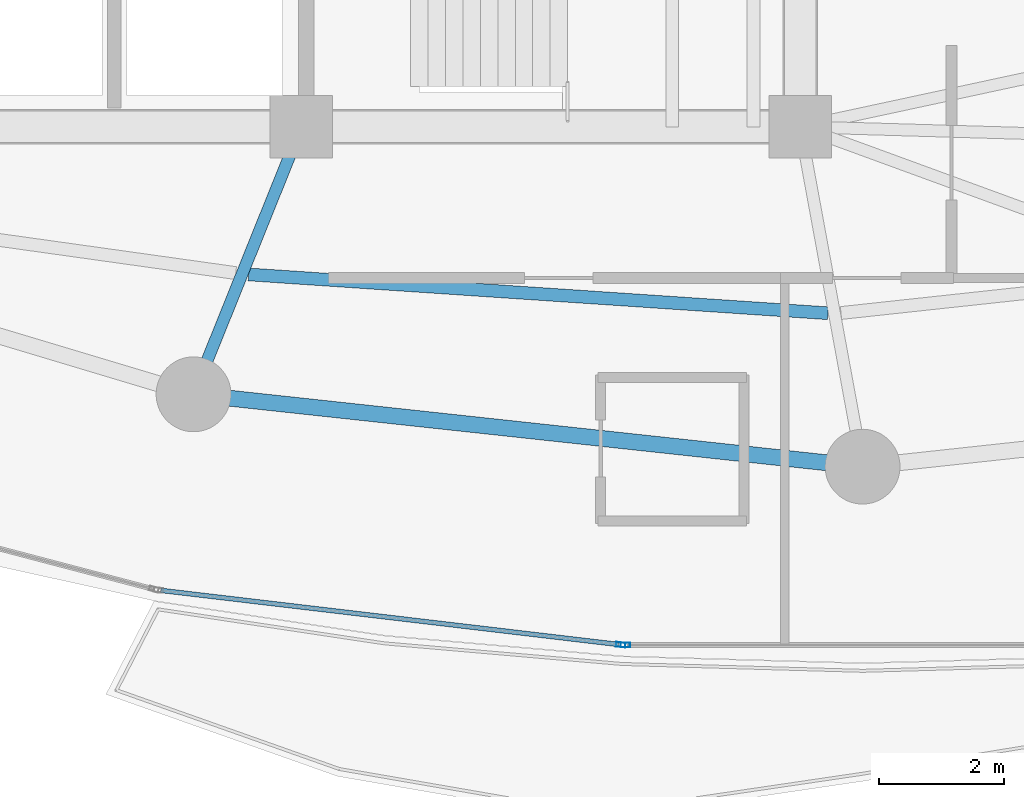
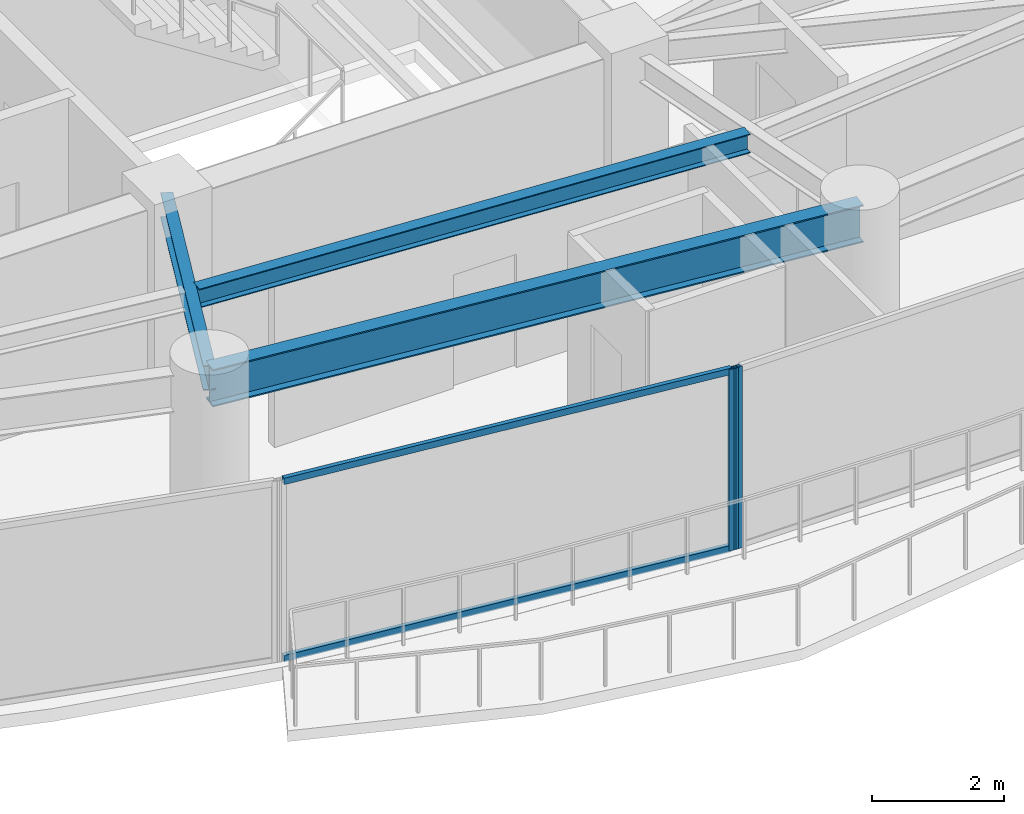
# One storey, part 6 of 34: 4 members, 3 beams, 2 elements without a shape of their own.
"""IFC4 building model written with IfcOpenShell, lengths in metres."""

from ifc_helpers import new_model, si_unit, direction, frame, origin, origin_2d, place, context, subcontext, project, spatial, hollow_rectangle, i_section, extrude, material, layer, layer_set, material_profile, profile_set, type_object, element, aggregate, save


model = new_model("IFC4")

# Units and contexts
model_context = context("Model", 3, precision=1e-05, world=origin(), true_north=direction((0.0, 1.0)))
body_context = subcontext(model_context, "Body", "Model", "MODEL_VIEW")
ifc_project = project(units=[si_unit("LENGTHUNIT", "METRE"), si_unit("AREAUNIT", "SQUARE_METRE"), si_unit("VOLUMEUNIT", "CUBIC_METRE"), si_unit("PLANEANGLEUNIT", "RADIAN"), si_unit("MASSUNIT", "GRAM", prefix="KILO")], contexts=[model_context])

# Site, building, storey
site_placement = place(None, origin())
site = spatial("IfcSite", under=ifc_project, at=site_placement, CompositionType="ELEMENT")
building_placement = place(site_placement, origin())
building = spatial("IfcBuilding", under=site, at=building_placement, Name="Kazevale Care Tower and Concert Hall", CompositionType="ELEMENT")
storey_placement = place(building_placement, frame((0.0, 0.0, 171.0)))
storey = spatial("IfcBuildingStorey", under=building, at=storey_placement, Name="L45", CompositionType="ELEMENT", Elevation=171.0)

# Curtain wall, member
ifc_material_1 = material(Name="Aluminium 6063-T6 and Low-E Glass", Category="aluminium")
ifc_layer = layer(ifc_material_1, 0.179931640625)
ifc_layer_set = layer_set([ifc_layer], Name="Aluminium 6063-T6 and Low-E Glass")
curtain_wall_type = type_object("IfcCurtainWallType", Name="Sheltered Concave Balcony Curtain Wall CW-5", PredefinedType="NOTDEFINED", material=ifc_layer_set)
curtain_wall_1_placement = place(storey_placement, origin())
curtain_wall_1 = element("IfcCurtainWall", 1, at=curtain_wall_1_placement, inside=storey, type_object=curtain_wall_type, Name="cw:L45:f06", PredefinedType="NOTDEFINED")
ifc_material_2 = material(Name="Aluminium 6063-T6", Category="aluminium")
ifc_material_profile_1 = material_profile(ifc_material_2, hollow_rectangle(XDim=0.074951171875, YDim=0.14990234375, WallThickness=0.00390625, at=origin_2d()), Name="ALU75x150x4")
ifc_profile_set_1 = profile_set([ifc_material_profile_1], Name="Aluminium 6063-T6")
member_type_1 = type_object("IfcMemberType", Name="CW-5 Mullion ALU75x150x4", PredefinedType="MULLION", material=ifc_profile_set_1)
member_1_placement = place(storey_placement, frame((41.196533203125, 15.2890625, 0.0), z_axis=(0.0, 0.0, 1.0), x_axis=(0.0, -1.0, 0.0)))
member_1 = element("IfcMember", 2, at=member_1_placement, type_object=member_type_1, Name="CW-5 mullion 2", PredefinedType="MULLION", context=body_context, shape_type="SweptSolid", body=[
    extrude(hollow_rectangle(XDim=0.074951171875, YDim=0.14990234375, WallThickness=0.00390625, at=origin_2d()), origin(), (0.0, 0.0, 1.0), 3.360107421875),
])
aggregate(curtain_wall_1, [member_1])

# Curtain wall, members
curtain_wall_2_placement = place(storey_placement, origin())
curtain_wall_2 = element("IfcCurtainWall", 3, at=curtain_wall_2_placement, inside=storey, type_object=curtain_wall_type, Name="cw:L45:f07", PredefinedType="NOTDEFINED")
member_2_placement = place(storey_placement, frame((41.121826171875, 15.29345703125, 0.0), z_axis=(0.0, 0.0, 1.0), x_axis=(-0.117372179238, -0.993087997884, 0.0)))
member_2 = element("IfcMember", 4, at=member_2_placement, type_object=member_type_1, Name="CW-5 mullion 1", PredefinedType="MULLION", context=body_context, shape_type="SweptSolid", body=[
    extrude(hollow_rectangle(XDim=0.074951171875, YDim=0.14990234375, WallThickness=0.00390625, at=origin_2d()), origin(), (0.0, 0.0, 1.0), 3.360107421875),
])
ifc_material_profile_2 = material_profile(ifc_material_2, hollow_rectangle(XDim=0.074951171875, YDim=0.1201171875, WallThickness=0.00390625, at=origin_2d()), Name="ALU75x120x4")
ifc_profile_set_2 = profile_set([ifc_material_profile_2], Name="Aluminium 6063-T6")
member_type_2 = type_object("IfcMemberType", Name="CW-5 Transom ALU75x120x4", PredefinedType="USERDEFINED", material=ifc_profile_set_2)
member_3_placement = place(storey_placement, frame((41.08447265625, 15.2978515625, 0.03759765625), z_axis=(-0.993087545854, 0.117376003806, 0.0), x_axis=(-0.117376003806, -0.993087545854, 0.0)))
member_3 = element("IfcMember", 5, at=member_3_placement, type_object=member_type_2, Name="CW-5 transom 1.1", ObjectType="TRANSOM", PredefinedType="USERDEFINED", context=body_context, shape_type="SweptSolid", body=[
    extrude(hollow_rectangle(XDim=0.074951171875, YDim=0.1201171875, WallThickness=0.00390625, at=origin_2d()), origin(), (0.0, 0.0, 1.0), 7.39013671875),
])
member_4_placement = place(storey_placement, frame((41.08447265625, 15.2978515625, 3.322509765625), z_axis=(-0.993087545854, 0.117376003806, 0.0), x_axis=(-0.117376003806, -0.993087545854, 0.0)))
member_4 = element("IfcMember", 6, at=member_4_placement, type_object=member_type_2, Name="CW-5 transom 1.2", ObjectType="TRANSOM", PredefinedType="USERDEFINED", context=body_context, shape_type="SweptSolid", body=[
    extrude(hollow_rectangle(XDim=0.074951171875, YDim=0.1201171875, WallThickness=0.00390625, at=origin_2d()), origin(), (0.0, 0.0, 1.0), 7.39013671875),
])
aggregate(curtain_wall_2, [member_2, member_3, member_4])

# Beams
ifc_material_3 = material(Name="Steel ASTM A572 Gr 50", Category="steel")
ifc_material_profile_3 = material_profile(ifc_material_3, i_section(OverallWidth=0.19091796875, OverallDepth=0.4599609375, WebThickness=0.010009765625, FlangeThickness=0.01611328125, at=origin_2d()), Name="W460x82")
ifc_profile_set_3 = profile_set([ifc_material_profile_3], Name="Steel ASTM A572 Gr 50")
beam_type_1 = type_object("IfcBeamType", Name="Radial Floor Beam W460x82", PredefinedType="BEAM", material=ifc_profile_set_3)
beam_1_placement = place(storey_placement, frame((36.0, 23.60009765625, 3.1298828125), z_axis=(-0.373991766452, -0.927432023722, 0.0), x_axis=(0.927432023722, -0.373991766452, 0.0)))
element("IfcBeam", 7, at=beam_1_placement, inside=storey, type_object=beam_type_1, Name="beam:L45:rad:12", PredefinedType="BEAM", context=body_context, shape_type="SweptSolid", body=[
    extrude(i_section(OverallWidth=0.19091796875, OverallDepth=0.4599609375, WebThickness=0.010009765625, FlangeThickness=0.01611328125, at=origin_2d()), origin(), (0.0, 0.0, 1.0), 4.625732421875),
])
ifc_material_profile_4 = material_profile(ifc_material_3, i_section(OverallWidth=0.205078125, OverallDepth=0.35400390625, WebThickness=0.009521484375, FlangeThickness=0.016845703125, at=origin_2d()), Name="W360x79")
ifc_profile_set_4 = profile_set([ifc_material_profile_4], Name="Steel ASTM A572 Gr 50")
beam_type_2 = type_object("IfcBeamType", Name="Secondary Floor Joist W360x79", PredefinedType="JOIST", material=ifc_profile_set_4)
beam_2_placement = place(storey_placement, frame((35.153076171875, 21.23291015625, 3.18310546875), z_axis=(0.997761314569, -0.06687569925, 0.0), x_axis=(0.06687569925, 0.997761314569, 0.0)))
element("IfcBeam", 8, at=beam_2_placement, inside=storey, type_object=beam_type_2, Name="beam:L45:joist:12", PredefinedType="JOIST", context=body_context, shape_type="SweptSolid", body=[
    extrude(i_section(OverallWidth=0.205078125, OverallDepth=0.35400390625, WebThickness=0.009521484375, FlangeThickness=0.016845703125, at=origin_2d()), origin(), (0.0, 0.0, 1.0), 9.312744140625),
])
ifc_material_profile_5 = material_profile(ifc_material_3, i_section(OverallWidth=0.256103515625, OverallDepth=0.693115234375, WebThickness=0.014404296875, FlangeThickness=0.023681640625, at=origin_2d()), Name="W690x170")
ifc_profile_set_5 = profile_set([ifc_material_profile_5], Name="Steel ASTM A572 Gr 50")
beam_type_3 = type_object("IfcBeamType", Name="Waist Ring Beam W690x170", PredefinedType="BEAM", material=ifc_profile_set_5)
beam_3_placement = place(storey_placement, frame((34.27001953125, 19.31005859375, 3.013427734375), z_axis=(0.994205479487, -0.107496346724, 0.0), x_axis=(0.107496346724, 0.994205479487, 0.0)))
element("IfcBeam", 9, at=beam_3_placement, inside=storey, type_object=beam_type_3, Name="beam:L45:ring:12", PredefinedType="BEAM", context=body_context, shape_type="SweptSolid", body=[
    extrude(i_section(OverallWidth=0.256103515625, OverallDepth=0.693115234375, WebThickness=0.014404296875, FlangeThickness=0.023681640625, at=origin_2d()), origin(), (0.0, 0.0, 1.0), 10.79248046875),
])

save(model, "model.ifc")
